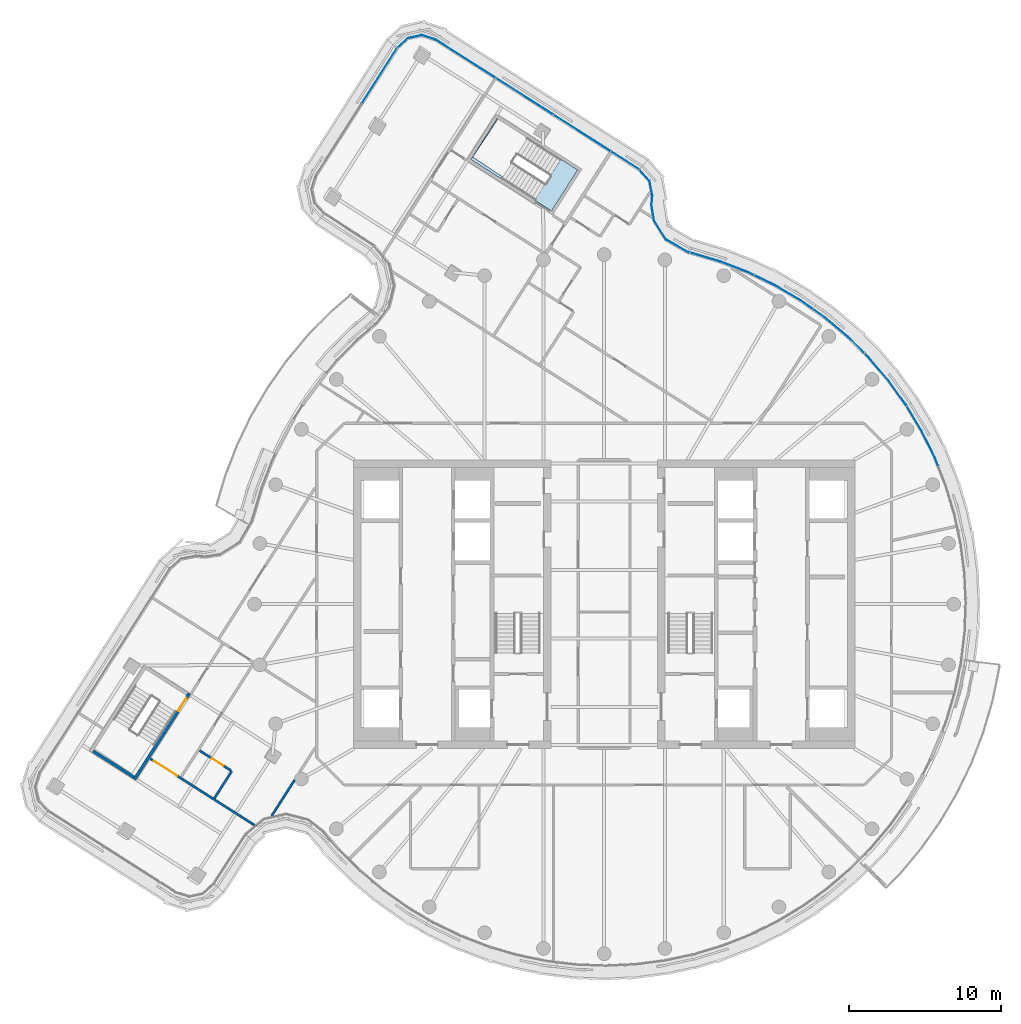
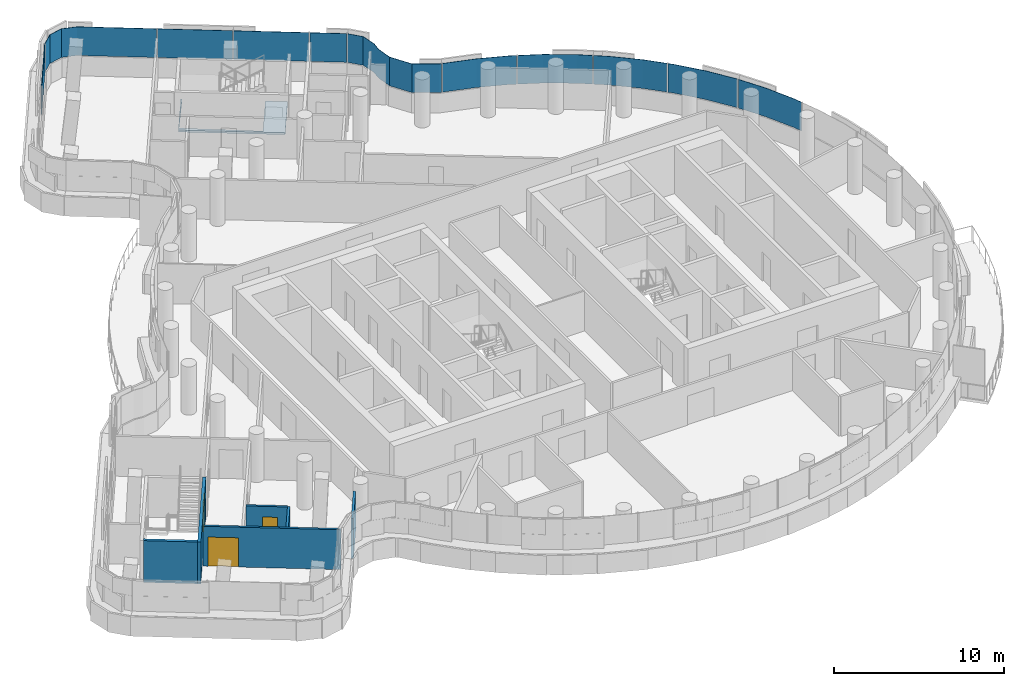
# One storey, part 16 of 27: 11 plates, 6 walls, 3 doors, 1 slab, 3 openings, 3 elements without a shape of their own.
"""IFC4 building model written with IfcOpenShell, lengths in metres."""

from ifc_helpers import new_model, si_unit, direction, frame, frame_2d, origin, place, context, subcontext, project, spatial, polyline, rectangle, outline, extrude, material, layer, layer_set, type_object, element, fill, aggregate, save


model = new_model("IFC4")

# Units and contexts
model_context = context("Model", 3, precision=1e-05, world=origin(), true_north=direction((0.0, 1.0)))
body_context = subcontext(model_context, "Body", "Model", "MODEL_VIEW")
ifc_project = project(units=[si_unit("LENGTHUNIT", "METRE"), si_unit("AREAUNIT", "SQUARE_METRE"), si_unit("VOLUMEUNIT", "CUBIC_METRE"), si_unit("PLANEANGLEUNIT", "RADIAN"), si_unit("MASSUNIT", "GRAM", prefix="KILO")], contexts=[model_context])

# Site, building, storey
site_placement = place(None, origin())
site = spatial("IfcSite", under=ifc_project, at=site_placement, CompositionType="ELEMENT")
building_placement = place(site_placement, origin())
building = spatial("IfcBuilding", under=site, at=building_placement, Name="Tamarind Cross Interchange Tower", CompositionType="ELEMENT")
storey_placement = place(building_placement, frame((0.0, 0.0, 241.5)))
storey = spatial("IfcBuildingStorey", under=building, at=storey_placement, Name="L61", CompositionType="ELEMENT", Elevation=241.5)

# Slab
ifc_material_1 = material(Name="Concrete C35", Category="concrete")
ifc_layer_1 = layer(ifc_material_1, 0.139892578125)
ifc_layer_set_1 = layer_set([ifc_layer_1], Name="Concrete C35")
slab_type = type_object("IfcSlabType", Name="Composite slab 140 Concrete C35", PredefinedType="FLOOR", material=ifc_layer_set_1)
slab_placement = place(storey_placement, frame((0.0, 0.0, -0.139892578125)))
element("IfcSlab", 1, at=slab_placement, inside=storey, type_object=slab_type, Name="Floor slab L61", PredefinedType="FLOOR", context=body_context, shape_type="SweptSolid", body=[
    extrude(outline(polyline([(-7.052490234375, 31.95556640625), (-8.7734375, 29.2578125), (-3.46240234375, 25.869384765625), (-1.7412109375, 28.567138671875), (-2.777587890625, 29.228271484375), (-2.847412109375, 29.272705078125), (-4.50634765625, 26.67236328125), (-8.6396484375, 29.41650390625), (-6.9833984375, 31.911376953125), (-7.052490234375, 31.95556640625)])), origin(), (0.0, 0.0, 1.0), 0.139892578125),
])

# Curtain wall, plates
ifc_material_2 = material(Name="Aluminium 6063-T6", Category="aluminium")
ifc_layer_2 = layer(ifc_material_2, 0.139892578125)
ifc_layer_set_2 = layer_set([ifc_layer_2], Name="Aluminium 6063-T6")
curtain_wall_type = type_object("IfcCurtainWallType", Name="Hotel curtain wall, 4.5 m bays", PredefinedType="NOTDEFINED", material=ifc_layer_set_2)
curtain_wall_1_placement = place(storey_placement, origin())
curtain_wall_1 = element("IfcCurtainWall", 2, at=curtain_wall_1_placement, inside=storey, type_object=curtain_wall_type, Name="CWS-L61-02", PredefinedType="NOTDEFINED")
ifc_material_3 = material(Name="Laminated low-e glass 6+1.52+6", Category="glass")
ifc_layer_3 = layer(ifc_material_3, 0.02392578125)
ifc_layer_set_3 = layer_set([ifc_layer_3], Name="Laminated low-e glass 6+1.52+6")
plate_type = type_object("IfcPlateType", Name="Vision panel CW2", PredefinedType="CURTAIN_PANEL", material=ifc_layer_set_3)
plate_1_placement = place(storey_placement, frame((0.0, 0.0, 1.39990234375)))
plate_1 = element("IfcPlate", 3, at=plate_1_placement, type_object=plate_type, Name="CWP-L61-02-16", PredefinedType="CURTAIN_PANEL", context=body_context, shape_type="SweptSolid", body=[
    extrude(outline(polyline([(21.953857421875, 9.104248046875), (21.7392578125, 9.6474609375), (20.868408203125, 11.40966796875), (19.911865234375, 12.999267578125), (19.932373046875, 13.01171875), (20.889404296875, 11.421142578125), (21.76123046875, 9.6572265625), (21.976318359375, 9.113037109375), (21.953857421875, 9.104248046875)])), origin(), (0.0, 0.0, 1.0), 2.06005859375),
])
plate_2_placement = place(storey_placement, frame((0.0, 0.0, 1.39990234375)))
plate_2 = element("IfcPlate", 4, at=plate_2_placement, type_object=plate_type, Name="CWP-L61-02-17", PredefinedType="CURTAIN_PANEL", context=body_context, shape_type="SweptSolid", body=[
    extrude(outline(polyline([(19.880859375, 13.05078125), (19.854736328125, 13.093994140625), (18.705810546875, 14.68896484375), (17.4287109375, 16.183349609375), (17.12939453125, 16.480224609375), (17.146240234375, 16.497314453125), (17.4462890625, 16.19970703125), (18.724609375, 14.703857421875), (19.874755859375, 13.107177734375), (19.9013671875, 13.063232421875), (19.880859375, 13.05078125)])), origin(), (0.0, 0.0, 1.0), 2.06005859375),
])
plate_3_placement = place(storey_placement, frame((0.0, 0.0, 1.39990234375)))
plate_3 = element("IfcPlate", 5, at=plate_3_placement, type_object=plate_type, Name="CWP-L61-02-18", PredefinedType="CURTAIN_PANEL", context=body_context, shape_type="SweptSolid", body=[
    extrude(outline(polyline([(17.0869140625, 16.5224609375), (16.032958984375, 17.5673828125), (14.52734375, 18.83154296875), (13.74755859375, 19.38330078125), (13.761474609375, 19.40283203125), (14.5419921875, 18.850341796875), (16.049072265625, 17.585205078125), (17.103759765625, 16.53955078125), (17.0869140625, 16.5224609375)])), origin(), (0.0, 0.0, 1.0), 2.06005859375),
])
plate_4_placement = place(storey_placement, frame((0.0, 0.0, 1.39990234375)))
plate_4 = element("IfcPlate", 6, at=plate_4_placement, type_object=plate_type, Name="CWP-L61-02-19", PredefinedType="CURTAIN_PANEL", context=body_context, shape_type="SweptSolid", body=[
    extrude(outline(polyline([(13.698486328125, 19.41796875), (12.922607421875, 19.966796875), (11.229736328125, 20.9658203125), (9.88916015625, 21.614013671875), (9.8994140625, 21.635498046875), (11.240966796875, 20.98681640625), (12.935791015625, 19.987060546875), (13.71240234375, 19.4375), (13.698486328125, 19.41796875)])), origin(), (0.0, 0.0, 1.0), 2.06005859375),
])
plate_5_placement = place(storey_placement, frame((0.0, 0.0, 1.39990234375)))
plate_5 = element("IfcPlate", 7, at=plate_5_placement, type_object=plate_type, Name="CWP-L61-02-20", PredefinedType="CURTAIN_PANEL", context=body_context, shape_type="SweptSolid", body=[
    extrude(outline(polyline([(9.8349609375, 21.64013671875), (9.4599609375, 21.821533203125), (7.625244140625, 22.5283203125), (5.65625, 23.11376953125), (5.6630859375, 23.13671875), (7.633056640625, 22.551025390625), (9.469482421875, 21.843505859375), (9.845458984375, 21.66162109375), (9.8349609375, 21.64013671875)])), origin(), (0.0, 0.0, 1.0), 2.06005859375),
])
plate_6_placement = place(storey_placement, frame((0.0, 0.0, 1.39990234375)))
plate_6 = element("IfcPlate", 8, at=plate_6_placement, type_object=plate_type, Name="CWP-L61-02-21", PredefinedType="CURTAIN_PANEL", context=body_context, shape_type="SweptSolid", body=[
    extrude(outline(polyline([(5.5986328125, 23.130859375), (5.4619140625, 23.17138671875), (4.0654296875, 23.974365234375), (3.264892578125, 25.252197265625), (3.10595703125, 26.25830078125), (3.157958984375, 26.87060546875), (2.974609375, 27.83984375), (2.3349609375, 28.552978515625), (2.352783203125, 28.569091796875), (2.996826171875, 27.850830078125), (3.18212890625, 26.871826171875), (3.130126953125, 26.25927734375), (3.287841796875, 25.2607421875), (4.08251953125, 23.9921875), (5.471435546875, 23.193603515625), (5.60546875, 23.15380859375), (5.5986328125, 23.130859375)])), origin(), (0.0, 0.0, 1.0), 2.06005859375),
])
aggregate(curtain_wall_1, [plate_1, plate_2, plate_3, plate_4, plate_5, plate_6])

curtain_wall_2_placement = place(storey_placement, origin())
curtain_wall_2 = element("IfcCurtainWall", 9, at=curtain_wall_2_placement, inside=storey, type_object=curtain_wall_type, Name="CWS-L61-03", PredefinedType="NOTDEFINED")
plate_7_placement = place(storey_placement, frame((0.0, 0.0, 1.39990234375)))
plate_7 = element("IfcPlate", 10, at=plate_7_placement, type_object=plate_type, Name="CWP-L61-03-00", PredefinedType="CURTAIN_PANEL", context=body_context, shape_type="SweptSolid", body=[
    extrude(outline(polyline([(2.292236328125, 28.58935546875), (0.455810546875, 29.760986328125), (0.46875, 29.78125), (2.30517578125, 28.609619140625), (2.292236328125, 28.58935546875)])), origin(), (0.0, 0.0, 1.0), 2.06005859375),
])
plate_8_placement = place(storey_placement, frame((0.0, 0.0, 1.39990234375)))
plate_8 = element("IfcPlate", 11, at=plate_8_placement, type_object=plate_type, Name="CWP-L61-03-01", PredefinedType="CURTAIN_PANEL", context=body_context, shape_type="SweptSolid", body=[
    extrude(outline(polyline([(0.4052734375, 29.793212890625), (-3.3251953125, 32.173095703125), (-3.312255859375, 32.193115234375), (0.418212890625, 29.8134765625), (0.4052734375, 29.793212890625)])), origin(), (0.0, 0.0, 1.0), 2.06005859375),
])
plate_9_placement = place(storey_placement, frame((0.0, 0.0, 1.39990234375)))
plate_9 = element("IfcPlate", 12, at=plate_9_placement, type_object=plate_type, Name="CWP-L61-03-02", PredefinedType="CURTAIN_PANEL", context=body_context, shape_type="SweptSolid", body=[
    extrude(outline(polyline([(-3.375732421875, 32.205322265625), (-7.106201171875, 34.585205078125), (-7.09326171875, 34.605224609375), (-3.36279296875, 32.2255859375), (-3.375732421875, 32.205322265625)])), origin(), (0.0, 0.0, 1.0), 2.06005859375),
])
plate_10_placement = place(storey_placement, frame((0.0, 0.0, 1.39990234375)))
plate_10 = element("IfcPlate", 13, at=plate_10_placement, type_object=plate_type, Name="CWP-L61-03-03", PredefinedType="CURTAIN_PANEL", context=body_context, shape_type="SweptSolid", body=[
    extrude(outline(polyline([(-7.15673828125, 34.617431640625), (-11.099609375, 37.1328125), (-12.006103515625, 37.419189453125), (-12.906005859375, 37.22021484375), (-13.586181640625, 36.59765625), (-13.6025390625, 36.615478515625), (-12.91748046875, 37.2421875), (-12.0048828125, 37.444091796875), (-11.08935546875, 37.15478515625), (-7.143798828125, 34.6376953125), (-7.15673828125, 34.617431640625)])), origin(), (0.0, 0.0, 1.0), 2.06005859375),
])
aggregate(curtain_wall_2, [plate_7, plate_8, plate_9, plate_10])

# Curtain wall, plate
curtain_wall_3_placement = place(storey_placement, origin())
curtain_wall_3 = element("IfcCurtainWall", 14, at=curtain_wall_3_placement, inside=storey, type_object=curtain_wall_type, Name="CWS-L61-04", PredefinedType="NOTDEFINED")
plate_11_placement = place(storey_placement, frame((0.0, 0.0, 1.39990234375)))
plate_11 = element("IfcPlate", 15, at=plate_11_placement, type_object=plate_type, Name="CWP-L61-04-00", PredefinedType="CURTAIN_PANEL", context=body_context, shape_type="SweptSolid", body=[
    extrude(outline(polyline([(-13.62255859375, 36.554443359375), (-15.927490234375, 32.941650390625), (-15.94775390625, 32.954345703125), (-13.642822265625, 36.5673828125), (-13.62255859375, 36.554443359375)])), origin(), (0.0, 0.0, 1.0), 2.06005859375),
])
aggregate(curtain_wall_3, [plate_11])

# Wall, opening, door
ifc_material_4 = material(Name="Gypsum board partition on steel studs", Category="steel")
ifc_layer_4 = layer(ifc_material_4, 0.14990234375)
ifc_layer_set_4 = layer_set([ifc_layer_4], Name="Gypsum board partition on steel studs")
wall_type_1 = type_object("IfcWallType", Name="Partition 150 mm EI 120", PredefinedType="PARTITIONING", material=ifc_layer_set_4)
wall_1_placement = place(storey_placement, frame((-29.861328125, -10.166259765625, 0.0), z_axis=(0.0, 0.0, 1.0), x_axis=(0.843235184474, -0.537544810844, 0.0)))
wall_1 = element("IfcWall", 16, at=wall_1_placement, inside=storey, type_object=wall_type_1, Name="Partition L61-005", PredefinedType="PARTITIONING", context=body_context, shape_type="SweptSolid", body=[
    extrude(rectangle(XDim=8.140625, YDim=0.14990234375, at=frame_2d((4.0703125, 0.0))), origin(), (0.0, 0.0, 1.0), 2.864013671875),
])
opening_1_placement = place(wall_1_placement, frame((0.300048828125, 0.0, 0.0)))
opening_1 = element("IfcOpeningElement", 17, at=opening_1_placement, cuts=wall_1, Name="Opening D01", PredefinedType="OPENING", context=body_context, shape_type="SweptSolid", body=[
    extrude(rectangle(XDim=1.800048828125, YDim=2.10009765625, at=frame_2d((0.89990234375, 1.050048828125))), frame((0.0, 0.0849609375, 0.0), z_axis=(0.0, -1.0, 0.0), x_axis=(1.0, 0.0, 0.0)), (0.0, 0.0, 1.0), 0.169921875),
])
ifc_material_5 = material(Name="Fire-resisting door set")
door_type_1 = type_object("IfcDoorType", Name="Interior door 1800 x 2100 FD60S", OperationType="DOUBLE_DOOR_SINGLE_SWING", PredefinedType="DOOR", material=ifc_material_5)
door_1_placement = place(opening_1_placement, frame((1.800048828125, 0.0, 0.0), z_axis=(0.0, 0.0, 1.0), x_axis=(-1.0, 0.0, 0.0)))
door_1 = element("IfcDoor", 18, at=door_1_placement, inside=storey, type_object=door_type_1, Name="Door D01", OperationType="DOUBLE_DOOR_SINGLE_SWING", OverallHeight=2.10009765625, OverallWidth=1.800048828125, PredefinedType="DOOR", context=body_context, shape_type="SweptSolid", body=[
    extrude(rectangle(XDim=1.800048828125, YDim=2.10009765625, at=frame_2d((0.89990234375, 1.050048828125))), frame((0.0, 0.02490234375, 0.0), z_axis=(0.0, -1.0, 0.0), x_axis=(1.0, 0.0, 0.0)), (0.0, 0.0, 1.0), 0.050048828125),
])
fill(opening_1, door_1)

wall_2_placement = place(storey_placement, frame((-26.62158203125, -9.625, 0.0), z_axis=(0.0, 0.0, 1.0), x_axis=(0.843110056377, -0.537741046262, 0.0)))
wall_2 = element("IfcWall", 19, at=wall_2_placement, inside=storey, type_object=wall_type_1, Name="Partition L61-008", PredefinedType="PARTITIONING", context=body_context, shape_type="SweptSolid", body=[
    extrude(rectangle(XDim=2.44482421875, YDim=0.14990234375, at=frame_2d((1.222412109375, 0.0))), origin(), (0.0, 0.0, 1.0), 2.864013671875),
])
opening_2_placement = place(wall_2_placement, frame((0.969970703125, 0.0, 0.0)))
opening_2 = element("IfcOpeningElement", 20, at=opening_2_placement, cuts=wall_2, Name="Opening D03", PredefinedType="OPENING", context=body_context, shape_type="SweptSolid", body=[
    extrude(rectangle(XDim=0.89990234375, YDim=2.10009765625, at=frame_2d((0.449951171875, 1.050048828125))), frame((0.0, 0.0849609375, 0.0), z_axis=(0.0, -1.0, 0.0), x_axis=(1.0, 0.0, 0.0)), (0.0, 0.0, 1.0), 0.169921875),
])
door_type_2 = type_object("IfcDoorType", Name="Interior door 900 x 2100 FD60S", OperationType="SINGLE_SWING_LEFT", PredefinedType="DOOR", material=ifc_material_5)
door_2_placement = place(opening_2_placement, frame((0.89990234375, 0.0, 0.0), z_axis=(0.0, 0.0, 1.0), x_axis=(-1.0, 0.0, 0.0)))
door_2 = element("IfcDoor", 21, at=door_2_placement, inside=storey, type_object=door_type_2, Name="Door D03", OperationType="SINGLE_SWING_RIGHT", OverallHeight=2.10009765625, OverallWidth=0.89990234375, PredefinedType="DOOR", context=body_context, shape_type="SweptSolid", body=[
    extrude(rectangle(XDim=0.89990234375, YDim=2.10009765625, at=frame_2d((0.449951171875, 1.050048828125))), frame((0.0, 0.02490234375, 0.0), z_axis=(0.0, -1.0, 0.0), x_axis=(1.0, 0.0, 0.0)), (0.0, 0.0, 1.0), 0.050048828125),
])
fill(opening_2, door_2)

# Walls
wall_3_placement = place(storey_placement, frame((-25.637939453125, -12.767578125, 0.0), z_axis=(0.0, 0.0, 1.0), x_axis=(0.537984980075, 0.842954424162, 0.0)))
element("IfcWall", 22, at=wall_3_placement, inside=storey, type_object=wall_type_1, Name="Partition L61-038", PredefinedType="PARTITIONING", context=body_context, shape_type="SweptSolid", body=[
    extrude(rectangle(XDim=2.12060546875, YDim=0.14990234375, at=frame_2d((1.060302734375, 0.0))), origin(), (0.0, 0.0, 1.0), 2.864013671875),
])
wall_4_placement = place(storey_placement, frame((-21.872802734375, -13.931640625, 0.0), z_axis=(0.0, 0.0, 1.0), x_axis=(0.537802916329, 0.843070592055, 0.0)))
element("IfcWall", 23, at=wall_4_placement, inside=storey, type_object=wall_type_1, Name="Partition L61-042", PredefinedType="PARTITIONING", context=body_context, shape_type="SweptSolid", body=[
    extrude(rectangle(XDim=2.8095703125, YDim=0.14990234375, at=frame_2d((1.40478515625, 0.0))), origin(), (0.0, 0.0, 1.0), 2.864013671875),
])

# Wall, opening, door
ifc_material_6 = material(Name="Concrete C40", Category="concrete")
ifc_layer_5 = layer(ifc_material_6, 0.199951171875)
ifc_layer_set_5 = layer_set([ifc_layer_5], Name="Concrete C40")
wall_type_2 = type_object("IfcWallType", Name="Stair shaft wall 200 mm Concrete C40", PredefinedType="SHEAR", material=ifc_layer_set_5)
wall_5_placement = place(storey_placement, frame((-27.291015625, -5.876708984375, -0.139892578125), z_axis=(0.0, 0.0, 1.0), x_axis=(-0.537837128286, -0.843048766939, 0.0)))
wall_5 = element("IfcWall", 24, at=wall_5_placement, inside=storey, type_object=wall_type_2, Name="Core wall CWL-L61-ST5-H", PredefinedType="SHEAR", context=body_context, shape_type="SweptSolid", body=[
    extrude(rectangle(XDim=6.699951171875, YDim=0.199951171875, at=frame_2d((3.35009765625, 0.0))), origin(), (0.0, 0.0, 1.0), 3.00390625),
])
opening_3_placement = place(wall_5_placement, frame((0.35009765625, 0.0, 0.0)))
opening_3 = element("IfcOpeningElement", 25, at=opening_3_placement, cuts=wall_5, Name="Opening ST5L61", PredefinedType="OPENING", context=body_context, shape_type="SweptSolid", body=[
    extrude(rectangle(XDim=1.0, YDim=2.10009765625, at=frame_2d((0.5, 1.050048828125))), frame((0.0, 0.10986328125, 0.0), z_axis=(0.0, -1.0, 0.0), x_axis=(1.0, 0.0, 0.0)), (0.0, 0.0, 1.0), 0.219970703125),
])
ifc_material_7 = material(Name="Steel, fire-resisting", Category="steel")
door_type_3 = type_object("IfcDoorType", Name="Core fire door 1000 x 2100 FD90", OperationType="SINGLE_SWING_LEFT", PredefinedType="DOOR", material=ifc_material_7)
door_3_placement = place(opening_3_placement, origin())
door_3 = element("IfcDoor", 26, at=door_3_placement, inside=storey, type_object=door_type_3, Name="L61 stair door ST5", OperationType="SINGLE_SWING_LEFT", OverallHeight=2.10009765625, OverallWidth=1.0, PredefinedType="DOOR", context=body_context, shape_type="SweptSolid", body=[
    extrude(rectangle(XDim=1.0, YDim=2.10009765625, at=frame_2d((0.5, 1.050048828125))), frame((0.0, 0.02490234375, 0.0), z_axis=(0.0, -1.0, 0.0), x_axis=(1.0, 0.0, 0.0)), (0.0, 0.0, 1.0), 0.050048828125),
])
fill(opening_3, door_3)

# Wall
wall_6_placement = place(storey_placement, frame((0.0, 0.0, -0.139892578125)))
element("IfcWall", 27, at=wall_6_placement, inside=storey, type_object=wall_type_2, Name="Core wall CWL-L61-ST5-CF", PredefinedType="SHEAR", context=body_context, shape_type="SweptSolid", body=[
    extrude(outline(polyline([(-33.569091796875, -9.581787109375), (-33.676513671875, -9.750244140625), (-30.978759765625, -11.47119140625), (-30.87109375, -11.302734375), (-33.569091796875, -9.581787109375)])), origin(), (0.0, 0.0, 1.0), 3.00390625),
])

save(model, "model.ifc")
